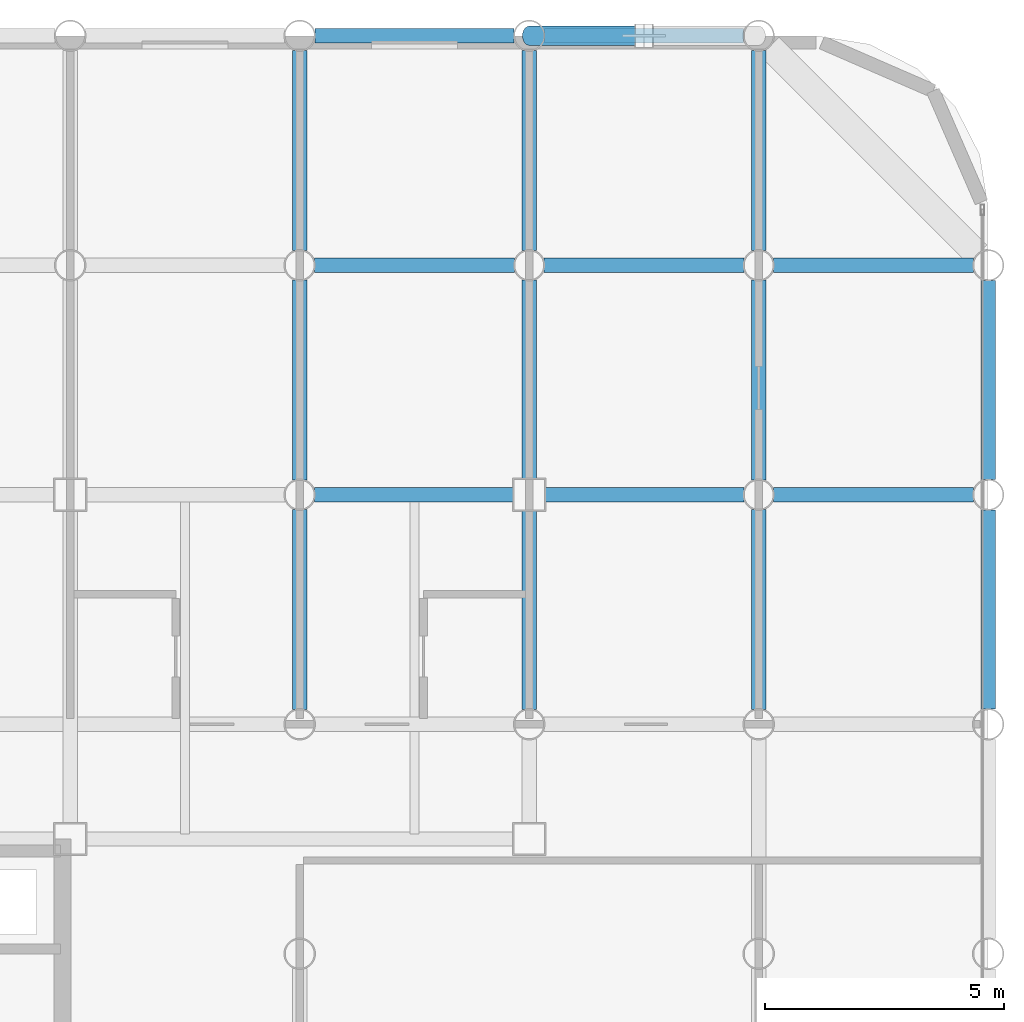
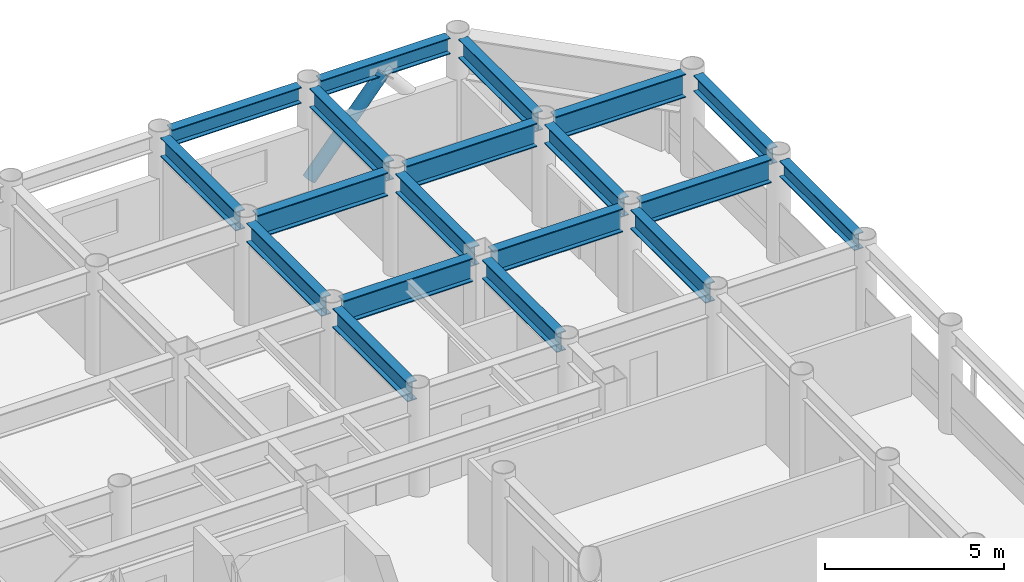
# One storey, part 14 of 22: 19 beams, 1 member.
"""IFC4 building model written with IfcOpenShell, lengths in metres."""

from ifc_helpers import new_model, si_unit, direction, frame, origin, origin_2d, place, context, subcontext, project, spatial, hollow_circle, i_section, extrude, material, material_profile, profile_set, type_object, element, save


model = new_model("IFC4")

# Units and contexts
model_context = context("Model", 3, precision=1e-05, world=origin(), true_north=direction((0.0, 1.0)))
body_context = subcontext(model_context, "Body", "Model", "MODEL_VIEW")
ifc_project = project(units=[si_unit("LENGTHUNIT", "METRE"), si_unit("AREAUNIT", "SQUARE_METRE"), si_unit("VOLUMEUNIT", "CUBIC_METRE"), si_unit("PLANEANGLEUNIT", "RADIAN"), si_unit("MASSUNIT", "GRAM", prefix="KILO")], contexts=[model_context])

# Site, building, storey
site_placement = place(None, origin())
site = spatial("IfcSite", under=ifc_project, at=site_placement, CompositionType="ELEMENT")
building_placement = place(site_placement, origin())
building = spatial("IfcBuilding", under=site, at=building_placement, Name="Kallvorn Hotel Tower", CompositionType="ELEMENT")
storey_placement = place(building_placement, frame((0.0, 0.0, 102.60009765625)))
storey = spatial("IfcBuildingStorey", under=building, at=storey_placement, Name="L24", CompositionType="ELEMENT", Elevation=102.60009765625)

# Beams
ifc_material_1 = material(Name="Structural steel S355JR", Category="steel")
ifc_material_profile_1 = material_profile(ifc_material_1, i_section(OverallWidth=0.300048828125, OverallDepth=0.550048828125, WebThickness=0.014892578125, FlangeThickness=0.029052734375, at=origin_2d()), Name="HE 550 B")
ifc_profile_set_1 = profile_set([ifc_material_profile_1], Name="Structural steel S355JR")
beam_type_1 = type_object("IfcBeamType", Name="BM_HE550B", PredefinedType="SPANDREL", material=ifc_profile_set_1)
for number, where, z_axis, x_axis, name in (
    (1, (19.52001953125, 24.0, 3.244873046875), (1.0, 0.0, 0.0), (0.0, 1.0, 0.0), "L25 Perimeter Spandrel 172"),
    (2, (24.320068359375, 24.0, 3.244873046875), (1.0, 0.0, 0.0), (0.0, 1.0, 0.0), "L25 Perimeter Spandrel 173"),
):
    element("IfcBeam", number, at=place(storey_placement, frame(where, z_axis=z_axis, x_axis=x_axis)), inside=storey, type_object=beam_type_1, Name=name, PredefinedType="SPANDREL", context=body_context, shape_type="SweptSolid", body=[
        extrude(i_section(OverallWidth=0.300048828125, OverallDepth=0.550048828125, WebThickness=0.014892578125, FlangeThickness=0.029052734375, at=origin_2d()), origin(), (0.0, 0.0, 1.0), 4.159912109375),
    ])
beam_1_placement = place(storey_placement, frame((33.60009765625, 9.919921875, 3.244873046875), z_axis=(0.0, 1.0, 0.0), x_axis=(-1.0, 0.0, 0.0)))
element("IfcBeam", 3, at=beam_1_placement, inside=storey, type_object=beam_type_1, Name="L25 Perimeter Spandrel 187", PredefinedType="SPANDREL", context=body_context, shape_type="SweptSolid", body=[
    extrude(i_section(OverallWidth=0.300048828125, OverallDepth=0.550048828125, WebThickness=0.014892578125, FlangeThickness=0.029052734375, at=origin_2d()), origin(), (0.0, 0.0, 1.0), 4.16015625),
])
beam_2_placement = place(storey_placement, frame((33.60009765625, 14.719970703125, 3.244873046875), z_axis=(0.0, 1.0, 0.0), x_axis=(-1.0, 0.0, 0.0)))
element("IfcBeam", 4, at=beam_2_placement, inside=storey, type_object=beam_type_1, Name="L25 Perimeter Spandrel 188", PredefinedType="SPANDREL", context=body_context, shape_type="SweptSolid", body=[
    extrude(i_section(OverallWidth=0.300048828125, OverallDepth=0.550048828125, WebThickness=0.014892578125, FlangeThickness=0.029052734375, at=origin_2d()), origin(), (0.0, 0.0, 1.0), 4.159912109375),
])
ifc_material_2 = material(Name="Structural steel S355JR", Category="steel")
ifc_material_profile_2 = material_profile(ifc_material_2, i_section(OverallWidth=0.300048828125, OverallDepth=0.64990234375, WebThickness=0.01611328125, FlangeThickness=0.031005859375, at=origin_2d()), Name="HE 650 B")
ifc_profile_set_2 = profile_set([ifc_material_profile_2], Name="Structural steel S355JR")
beam_type_2 = type_object("IfcBeamType", Name="BM_HE650B", PredefinedType="BEAM", material=ifc_profile_set_2)
for number, where, z_axis, x_axis, name in (
    (5, (19.199951171875, 9.905029296875, 3.19482421875), (0.0, 1.0, 0.0), (-1.0, 0.0, 0.0), "L25 Primary Y-Girder 132"),
    (6, (19.199951171875, 14.705078125, 3.19482421875), (0.0, 1.0, 0.0), (-1.0, 0.0, 0.0), "L25 Primary Y-Girder 133"),
):
    element("IfcBeam", number, at=place(storey_placement, frame(where, z_axis=z_axis, x_axis=x_axis)), inside=storey, type_object=beam_type_2, Name=name, PredefinedType="BEAM", context=body_context, shape_type="SweptSolid", body=[
        extrude(i_section(OverallWidth=0.300048828125, OverallDepth=0.64990234375, WebThickness=0.01611328125, FlangeThickness=0.031005859375, at=origin_2d()), origin(), (0.0, 0.0, 1.0), 4.18994140625),
    ])
beam_3_placement = place(storey_placement, frame((19.199951171875, 19.5048828125, 3.19482421875), z_axis=(0.0, 1.0, 0.0), x_axis=(-1.0, 0.0, 0.0)))
element("IfcBeam", 7, at=beam_3_placement, inside=storey, type_object=beam_type_2, Name="L25 Primary Y-Girder 134", PredefinedType="BEAM", context=body_context, shape_type="SweptSolid", body=[
    extrude(i_section(OverallWidth=0.300048828125, OverallDepth=0.64990234375, WebThickness=0.01611328125, FlangeThickness=0.031005859375, at=origin_2d()), origin(), (0.0, 0.0, 1.0), 4.190185546875),
])
for number, where, z_axis, x_axis, name in (
    (8, (24.0, 9.905029296875, 3.19482421875), (0.0, 1.0, 0.0), (-1.0, 0.0, 0.0), "L25 Primary Y-Girder 139"),
    (9, (24.0, 14.72509765625, 3.19482421875), (0.0, 1.0, 0.0), (-1.0, 0.0, 0.0), "L25 Primary Y-Girder 140"),
):
    element("IfcBeam", number, at=place(storey_placement, frame(where, z_axis=z_axis, x_axis=x_axis)), inside=storey, type_object=beam_type_2, Name=name, PredefinedType="BEAM", context=body_context, shape_type="SweptSolid", body=[
        extrude(i_section(OverallWidth=0.300048828125, OverallDepth=0.64990234375, WebThickness=0.01611328125, FlangeThickness=0.031005859375, at=origin_2d()), origin(), (0.0, 0.0, 1.0), 4.169921875),
    ])
beam_4_placement = place(storey_placement, frame((24.0, 19.5048828125, 3.19482421875), z_axis=(0.0, 1.0, 0.0), x_axis=(-1.0, 0.0, 0.0)))
element("IfcBeam", 10, at=beam_4_placement, inside=storey, type_object=beam_type_2, Name="L25 Primary Y-Girder 141", PredefinedType="BEAM", context=body_context, shape_type="SweptSolid", body=[
    extrude(i_section(OverallWidth=0.300048828125, OverallDepth=0.64990234375, WebThickness=0.01611328125, FlangeThickness=0.031005859375, at=origin_2d()), origin(), (0.0, 0.0, 1.0), 4.190185546875),
])
for number, where, z_axis, x_axis, name in (
    (11, (28.800048828125, 9.905029296875, 3.19482421875), (0.0, 1.0, 0.0), (-1.0, 0.0, 0.0), "L25 Primary Y-Girder 148"),
    (12, (28.800048828125, 14.705078125, 3.19482421875), (0.0, 1.0, 0.0), (-1.0, 0.0, 0.0), "L25 Primary Y-Girder 149"),
):
    element("IfcBeam", number, at=place(storey_placement, frame(where, z_axis=z_axis, x_axis=x_axis)), inside=storey, type_object=beam_type_2, Name=name, PredefinedType="BEAM", context=body_context, shape_type="SweptSolid", body=[
        extrude(i_section(OverallWidth=0.300048828125, OverallDepth=0.64990234375, WebThickness=0.01611328125, FlangeThickness=0.031005859375, at=origin_2d()), origin(), (0.0, 0.0, 1.0), 4.18994140625),
    ])
beam_5_placement = place(storey_placement, frame((28.800048828125, 19.5048828125, 3.19482421875), z_axis=(0.0, 1.0, 0.0), x_axis=(-1.0, 0.0, 0.0)))
element("IfcBeam", 13, at=beam_5_placement, inside=storey, type_object=beam_type_2, Name="L25 Primary Y-Girder 150", PredefinedType="BEAM", context=body_context, shape_type="SweptSolid", body=[
    extrude(i_section(OverallWidth=0.300048828125, OverallDepth=0.64990234375, WebThickness=0.01611328125, FlangeThickness=0.031005859375, at=origin_2d()), origin(), (0.0, 0.0, 1.0), 4.190185546875),
])
ifc_material_3 = material(Name="Structural steel S355JR", Category="steel")
ifc_material_profile_3 = material_profile(ifc_material_3, i_section(OverallWidth=0.300048828125, OverallDepth=0.800048828125, WebThickness=0.017578125, FlangeThickness=0.032958984375, at=origin_2d()), Name="HE 800 B")
ifc_profile_set_3 = profile_set([ifc_material_profile_3], Name="Structural steel S355JR")
beam_type_3 = type_object("IfcBeamType", Name="BM_HE800B", PredefinedType="BEAM", material=ifc_profile_set_3)
for number, where, z_axis, x_axis, name in (
    (14, (19.5048828125, 14.39990234375, 3.119873046875), (1.0, 0.0, 0.0), (0.0, 1.0, 0.0), "L25 Primary X-Girder 57"),
    (15, (24.324951171875, 14.39990234375, 3.119873046875), (1.0, 0.0, 0.0), (0.0, 1.0, 0.0), "L25 Primary X-Girder 58"),
):
    element("IfcBeam", number, at=place(storey_placement, frame(where, z_axis=z_axis, x_axis=x_axis)), inside=storey, type_object=beam_type_3, Name=name, PredefinedType="BEAM", context=body_context, shape_type="SweptSolid", body=[
        extrude(i_section(OverallWidth=0.300048828125, OverallDepth=0.800048828125, WebThickness=0.017578125, FlangeThickness=0.032958984375, at=origin_2d()), origin(), (0.0, 0.0, 1.0), 4.170166015625),
    ])
beam_6_placement = place(storey_placement, frame((29.10498046875, 14.39990234375, 3.119873046875), z_axis=(1.0, 0.0, 0.0), x_axis=(0.0, 1.0, 0.0)))
element("IfcBeam", 16, at=beam_6_placement, inside=storey, type_object=beam_type_3, Name="L25 Primary X-Girder 59", PredefinedType="BEAM", context=body_context, shape_type="SweptSolid", body=[
    extrude(i_section(OverallWidth=0.300048828125, OverallDepth=0.800048828125, WebThickness=0.017578125, FlangeThickness=0.032958984375, at=origin_2d()), origin(), (0.0, 0.0, 1.0), 4.18994140625),
])
for number, where, z_axis, x_axis, name in (
    (17, (19.5048828125, 19.199951171875, 3.119873046875), (1.0, 0.0, 0.0), (0.0, 1.0, 0.0), "L25 Primary X-Girder 70"),
    (18, (24.304931640625, 19.199951171875, 3.119873046875), (1.0, 0.0, 0.0), (0.0, 1.0, 0.0), "L25 Primary X-Girder 71"),
):
    element("IfcBeam", number, at=place(storey_placement, frame(where, z_axis=z_axis, x_axis=x_axis)), inside=storey, type_object=beam_type_3, Name=name, PredefinedType="BEAM", context=body_context, shape_type="SweptSolid", body=[
        extrude(i_section(OverallWidth=0.300048828125, OverallDepth=0.800048828125, WebThickness=0.017578125, FlangeThickness=0.032958984375, at=origin_2d()), origin(), (0.0, 0.0, 1.0), 4.190185546875),
    ])
beam_7_placement = place(storey_placement, frame((29.10498046875, 19.199951171875, 3.119873046875), z_axis=(1.0, 0.0, 0.0), x_axis=(0.0, 1.0, 0.0)))
element("IfcBeam", 19, at=beam_7_placement, inside=storey, type_object=beam_type_3, Name="L25 Primary X-Girder 72", PredefinedType="BEAM", context=body_context, shape_type="SweptSolid", body=[
    extrude(i_section(OverallWidth=0.300048828125, OverallDepth=0.800048828125, WebThickness=0.017578125, FlangeThickness=0.032958984375, at=origin_2d()), origin(), (0.0, 0.0, 1.0), 4.18994140625),
])

# Member
ifc_material_4 = material(Name="Structural steel S355J2H", Category="steel")
ifc_material_profile_4 = material_profile(ifc_material_4, hollow_circle(Radius=0.203125, WallThickness=0.01611328125, at=origin_2d()), Name="CHS 406.4x16")
ifc_profile_set_4 = profile_set([ifc_material_profile_4], Name="Structural steel S355J2H")
member_type = type_object("IfcMemberType", Name="MBR_EXO_CHS406", PredefinedType="BRACE", material=ifc_profile_set_4)
member_placement = place(storey_placement, frame((24.012939453125, 24.0, 0.1953125), z_axis=(0.646833296797, 0.0, 0.762631422218), x_axis=(0.0, 1.0, 0.0)))
element("IfcMember", 20, at=member_placement, inside=storey, type_object=member_type, Name="L24 Exoskeleton K-Brace N2A", PredefinedType="BRACE", context=body_context, shape_type="SweptSolid", body=[
    extrude(hollow_circle(Radius=0.203125, WallThickness=0.01611328125, at=origin_2d()), origin(), (0.0, 0.0, 1.0), 3.670654296875),
])

save(model, "model.ifc")
